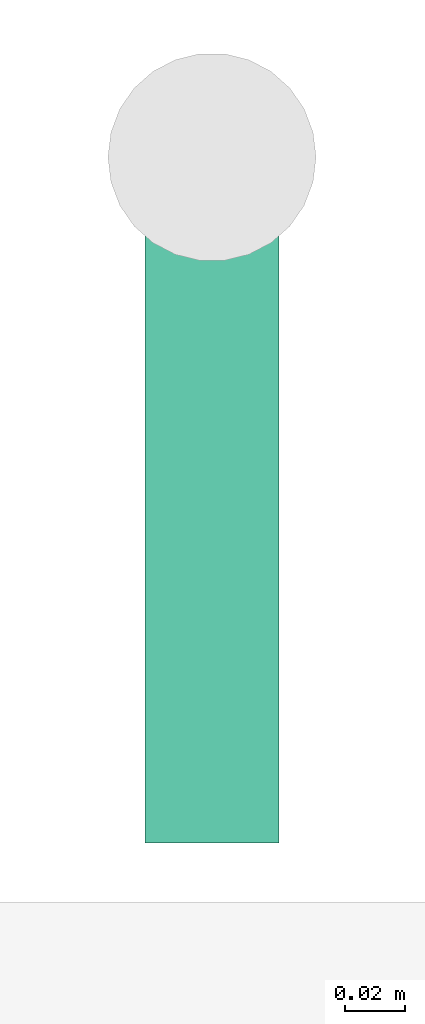
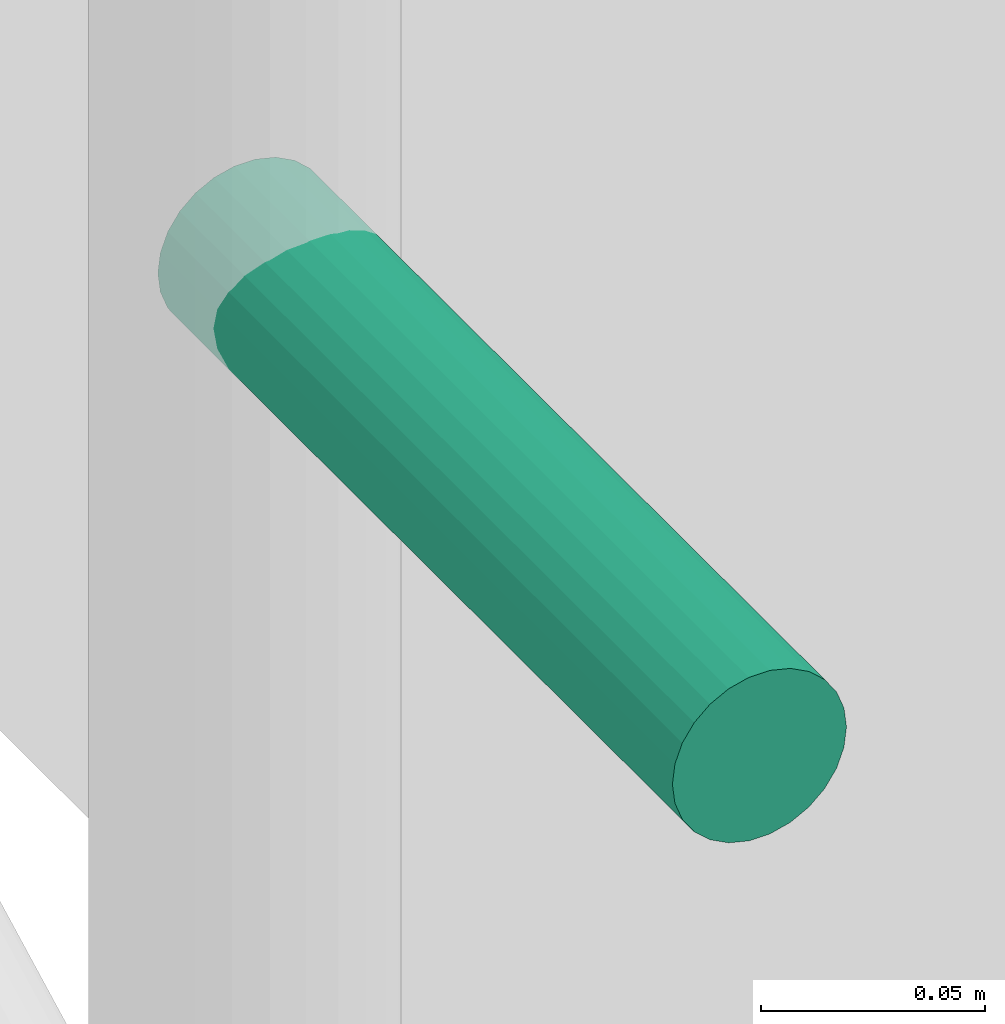
# One storey, part 33 of 36: 1 pipe fitting.
"""IFC4 building model written with IfcOpenShell, lengths in metres."""

from ifc_helpers import new_model, si_unit, direction, frame, origin, origin_2d, place, context, subcontext, project, spatial, circle, extrude, element, save


model = new_model("IFC4")

# Units and contexts
model_context = context("Model", 3, precision=1e-05, world=origin(), true_north=direction((0.0, 1.0)))
body_context = subcontext(model_context, "Body", "Model", "MODEL_VIEW")
ifc_project = project(units=[si_unit("LENGTHUNIT", "METRE"), si_unit("AREAUNIT", "SQUARE_METRE"), si_unit("VOLUMEUNIT", "CUBIC_METRE"), si_unit("PLANEANGLEUNIT", "RADIAN"), si_unit("MASSUNIT", "GRAM", prefix="KILO")], contexts=[model_context])

# Site, building, storey
site_placement = place(None, origin())
site = spatial("IfcSite", under=ifc_project, at=site_placement, CompositionType="ELEMENT")
building_placement = place(site_placement, origin())
building = spatial("IfcBuilding", under=site, at=building_placement, Name="Nzadi Deep Aquarium and Research Tower", CompositionType="ELEMENT")
storey_placement = place(building_placement, frame((0.0, 0.0, 14.199951171875)))
storey = spatial("IfcBuildingStorey", under=building, at=storey_placement, Name="L02", CompositionType="ELEMENT", Elevation=14.199951171875)

# Pipe fitting
pipe_fitting_placement = place(storey_placement, frame((2.300048828125, 68.9599609375, 1.10009765625), z_axis=(0.0, -1.0, 0.0), x_axis=(1.0, 0.0, 0.0)))
element("IfcPipeFitting", 1, at=pipe_fitting_placement, inside=storey, Name="Dry riser outlet ST-Z2-W L02", PredefinedType="EXIT", context=body_context, shape_type="SweptSolid", body=[
    extrude(circle(Radius=0.0224609375, at=origin_2d()), origin(), (0.0, 0.0, 1.0), 0.22998046875),
])

save(model, "model.ifc")
